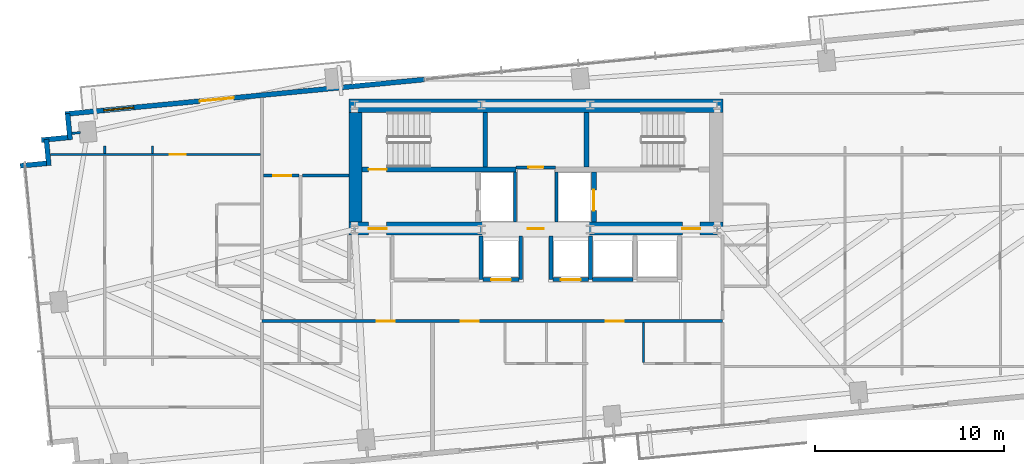
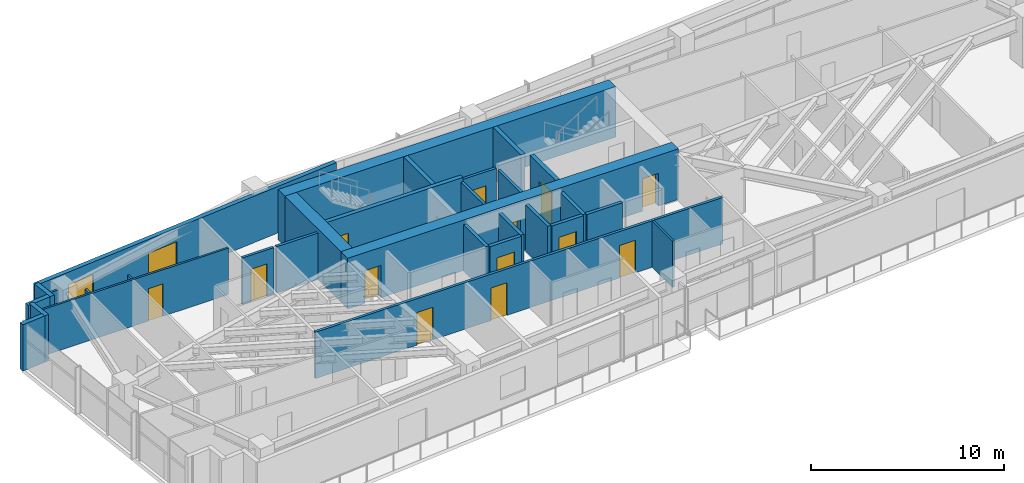
# One storey, part 20 of 25: 30 walls, 14 doors, 1 window, 15 openings.
"""IFC4 building model written with IfcOpenShell, lengths in metres."""

from ifc_helpers import new_model, si_unit, direction, frame, frame_2d, origin, place, context, subcontext, project, spatial, rectangle, extrude, source, transform, mapped, material, layer, layer_set, type_object, type_shapes, element, fill, save


model = new_model("IFC4")

# Units and contexts
model_context = context("Model", 3, precision=1e-05, world=origin(), true_north=direction((0.0, 1.0)))
body_context = subcontext(model_context, "Body", "Model", "MODEL_VIEW")
ifc_project = project(units=[si_unit("LENGTHUNIT", "METRE"), si_unit("AREAUNIT", "SQUARE_METRE"), si_unit("VOLUMEUNIT", "CUBIC_METRE"), si_unit("PLANEANGLEUNIT", "RADIAN"), si_unit("MASSUNIT", "GRAM", prefix="KILO")], contexts=[model_context])

# Site, building, storey
site_placement = place(None, origin())
site = spatial("IfcSite", under=ifc_project, at=site_placement, CompositionType="ELEMENT")
building_placement = place(site_placement, origin())
building = spatial("IfcBuilding", under=site, at=building_placement, Name="Astriad Promenade Condominiums", CompositionType="ELEMENT")
storey_placement = place(building_placement, frame((0.0, 0.0, 106.60009765625)))
storey = spatial("IfcBuildingStorey", under=building, at=storey_placement, Name="L30", CompositionType="ELEMENT", Elevation=106.60009765625)

# Wall, openings, doors
ifc_material_1 = material(Name="Concrete C60/75", Category="concrete")
ifc_layer_1 = layer(ifc_material_1, 0.699951171875)
ifc_layer_set_1 = layer_set([ifc_layer_1], Name="Concrete C60/75")
wall_type_1 = type_object("IfcWallType", Name="CW-SHEAR-700", PredefinedType="SHEAR", material=ifc_layer_set_1)
wall_1_placement = place(storey_placement, frame((26.10009765625, 17.449951171875, 0.0), z_axis=(0.0, 0.0, 1.0), x_axis=(1.0, 0.0, 0.0)))
wall_1 = element("IfcWall", 1, at=wall_1_placement, inside=storey, type_object=wall_type_1, Name="CW-CORE-S-L30", PredefinedType="SHEAR", context=body_context, shape_type="SweptSolid", body=[
    extrude(rectangle(XDim=19.7998046875, YDim=0.699951171875, at=frame_2d((9.89990234375, 0.0))), origin(), (0.0, 0.0, 1.0), 3.199951171875),
])
opening_1_placement = place(wall_1_placement, frame((1.050048828125, 0.0, 0.0)))
opening_1 = element("IfcOpeningElement", 2, at=opening_1_placement, cuts=wall_1, Name="Opening FD90-ST-095", PredefinedType="OPENING", context=body_context, shape_type="SweptSolid", body=[
    extrude(rectangle(XDim=0.949951171875, YDim=2.06005859375, at=frame_2d((0.47509765625, 1.030029296875))), frame((0.0, 0.35986328125, 0.0), z_axis=(0.0, -1.0, 0.0), x_axis=(1.0, 0.0, 0.0)), (0.0, 0.0, 1.0), 0.719970703125),
])
opening_2_placement = place(wall_1_placement, frame((9.47998046875, 0.0, 0.0)))
opening_2 = element("IfcOpeningElement", 3, at=opening_2_placement, cuts=wall_1, Name="Opening FD60-ULOW-085", PredefinedType="OPENING", context=body_context, shape_type="SweptSolid", body=[
    extrude(rectangle(XDim=0.85009765625, YDim=2.0, at=frame_2d((0.425048828125, 1.0))), frame((0.0, 0.35986328125, 0.0), z_axis=(0.0, -1.0, 0.0), x_axis=(1.0, 0.0, 0.0)), (0.0, 0.0, 1.0), 0.719970703125),
])
opening_3_placement = place(wall_1_placement, frame((17.64990234375, 0.0, 0.0)))
opening_3 = element("IfcOpeningElement", 4, at=opening_3_placement, cuts=wall_1, Name="Opening FD90-ST-095", PredefinedType="OPENING", context=body_context, shape_type="SweptSolid", body=[
    extrude(rectangle(XDim=0.949951171875, YDim=2.06005859375, at=frame_2d((0.47509765625, 1.030029296875))), frame((0.0, 0.35986328125, 0.0), z_axis=(0.0, -1.0, 0.0), x_axis=(1.0, 0.0, 0.0)), (0.0, 0.0, 1.0), 0.719970703125),
])
ifc_material_2 = material(Name="Fire-Rated Hollow Metal Stair Door")
door_type_1 = type_object("IfcDoorType", Name="FD90-ST-095", OperationType="NOTDEFINED", PredefinedType="DOOR", material=ifc_material_2)
shared_shape_1 = source(origin(), body_context, "Body", "SweptSolid", [
    extrude(rectangle(XDim=0.949951171875, YDim=2.06005859375, at=frame_2d((0.47509765625, 1.030029296875))), frame((0.0, 0.02490234375, 0.0), z_axis=(0.0, -1.0, 0.0), x_axis=(1.0, 0.0, 0.0)), (0.0, 0.0, 1.0), 0.050048828125),
])
type_shapes(door_type_1, [shared_shape_1])
door_1_placement = place(opening_1_placement, origin())
door_1 = element("IfcDoor", 5, at=door_1_placement, inside=storey, type_object=door_type_1, Name="D-FFW-L30", OperationType="SINGLE_SWING_LEFT", OverallHeight=2.06005859375, OverallWidth=0.949951171875, PredefinedType="DOOR", context=body_context, shape_type="MappedRepresentation", body=[
    mapped(shared_shape_1, transform((0.0, 0.0, 0.0), scale=1.0)),
])
fill(opening_1, door_1)
door_2_placement = place(opening_3_placement, origin())
door_2 = element("IfcDoor", 6, at=door_2_placement, inside=storey, type_object=door_type_1, Name="D-FFE-L30", OperationType="SINGLE_SWING_RIGHT", OverallHeight=2.06005859375, OverallWidth=0.949951171875, PredefinedType="DOOR", context=body_context, shape_type="MappedRepresentation", body=[
    mapped(shared_shape_1, transform((0.0, 0.0, 0.0), scale=1.0)),
])
fill(opening_3, door_2)
ifc_material_3 = material(Name="Solid-Core Low-Headroom Fire Door")
door_type_2 = type_object("IfcDoorType", Name="FD60-ULOW-085", OperationType="NOTDEFINED", PredefinedType="DOOR", material=ifc_material_3)
shared_shape_2 = source(origin(), body_context, "Body", "SweptSolid", [
    extrude(rectangle(XDim=0.85009765625, YDim=2.0, at=frame_2d((0.425048828125, 1.0))), frame((0.0, 0.02490234375, 0.0), z_axis=(0.0, -1.0, 0.0), x_axis=(1.0, 0.0, 0.0)), (0.0, 0.0, 1.0), 0.050048828125),
])
type_shapes(door_type_2, [shared_shape_2])
door_3_placement = place(opening_2_placement, origin())
door_3 = element("IfcDoor", 7, at=door_3_placement, inside=storey, type_object=door_type_2, Name="D-CSL-L30", OperationType="SINGLE_SWING_RIGHT", OverallHeight=2.0, OverallWidth=0.85009765625, PredefinedType="DOOR", context=body_context, shape_type="MappedRepresentation", body=[
    mapped(shared_shape_2, transform((0.0, 0.0, 0.0), scale=1.0)),
])
fill(opening_2, door_3)

# Walls
wall_2_placement = place(storey_placement, frame((26.10009765625, 23.949951171875, 0.0), z_axis=(0.0, 0.0, 1.0), x_axis=(1.0, 0.0, 0.0)))
element("IfcWall", 8, at=wall_2_placement, inside=storey, type_object=wall_type_1, Name="CW-CORE-N-L30", PredefinedType="SHEAR", context=body_context, shape_type="SweptSolid", body=[
    extrude(rectangle(XDim=19.7998046875, YDim=0.699951171875, at=frame_2d((9.89990234375, 0.0))), origin(), (0.0, 0.0, 1.0), 3.199951171875),
])
wall_3_placement = place(storey_placement, frame((26.449951171875, 17.802001953125, 0.0), z_axis=(0.0, 0.0, 1.0), x_axis=(0.0, 1.0, 0.0)))
element("IfcWall", 9, at=wall_3_placement, inside=storey, type_object=wall_type_1, Name="CW-CORE-W-L30", PredefinedType="SHEAR", context=body_context, shape_type="SweptSolid", body=[
    extrude(rectangle(XDim=5.7958984375, YDim=0.699951171875, at=frame_2d((2.89794921875, 0.0))), origin(), (0.0, 0.0, 1.0), 3.199951171875),
])

# Wall, opening, door
ifc_material_4 = material(Name="Concrete C50/60", Category="concrete")
ifc_layer_2 = layer(ifc_material_4, 0.25)
ifc_layer_set_2 = layer_set([ifc_layer_2], Name="Concrete C50/60")
wall_type_2 = type_object("IfcWallType", Name="WALL-CORE-INT-250", PredefinedType="SOLIDWALL", material=ifc_layer_set_2)
wall_4_placement = place(storey_placement, frame((26.802001953125, 20.574951171875, 0.0), z_axis=(0.0, 0.0, 1.0), x_axis=(1.0, 0.0, 0.0)))
wall_4 = element("IfcWall", 10, at=wall_4_placement, inside=storey, type_object=wall_type_2, Name="CW-INT-H1-L30", PredefinedType="SOLIDWALL", context=body_context, shape_type="SweptSolid", body=[
    extrude(rectangle(XDim=8.14794921875, YDim=0.25, at=frame_2d((4.073974609375, 0.0))), origin(), (0.0, 0.0, 1.0), 3.199951171875),
])
opening_4_placement = place(wall_4_placement, frame((0.347900390625, 0.0, 0.0)))
opening_4 = element("IfcOpeningElement", 11, at=opening_4_placement, cuts=wall_4, Name="Opening FD90-ST-095", PredefinedType="OPENING", context=body_context, shape_type="SweptSolid", body=[
    extrude(rectangle(XDim=0.949951171875, YDim=2.06005859375, at=frame_2d((0.47509765625, 1.030029296875))), frame((0.0, 0.135009765625, 0.0), z_axis=(0.0, -1.0, 0.0), x_axis=(1.0, 0.0, 0.0)), (0.0, 0.0, 1.0), 0.27001953125),
])
door_4_placement = place(opening_4_placement, origin())
door_4 = element("IfcDoor", 12, at=door_4_placement, inside=storey, type_object=door_type_1, Name="D-ST1-L30", OperationType="SINGLE_SWING_RIGHT", OverallHeight=2.06005859375, OverallWidth=0.949951171875, PredefinedType="DOOR", context=body_context, shape_type="MappedRepresentation", body=[
    mapped(shared_shape_1, transform((0.0, 0.0, 0.0), scale=1.0)),
])
fill(opening_4, door_4)

# Walls
for number, where, z_axis, x_axis, name in (
    (13, (33.324951171875, 20.701904296875, 0.0), (0.0, 0.0, 1.0), (0.0, 1.0, 0.0), "CW-ST1-E-L30"),
    (14, (38.675048828125, 20.701904296875, 0.0), (0.0, 0.0, 1.0), (0.0, 1.0, 0.0), "CW-ST2-W-L30"),
):
    element("IfcWall", number, at=place(storey_placement, frame(where, z_axis=z_axis, x_axis=x_axis)), inside=storey, type_object=wall_type_2, Name=name, PredefinedType="SOLIDWALL", context=body_context, shape_type="SweptSolid", body=[
        extrude(rectangle(XDim=2.89599609375, YDim=0.25, at=frame_2d((1.447998046875, 0.0))), origin(), (0.0, 0.0, 1.0), 3.199951171875),
    ])

# Wall, opening, door
wall_5_placement = place(storey_placement, frame((39.074951171875, 17.802001953125, 0.0), z_axis=(0.0, 0.0, 1.0), x_axis=(0.0, 1.0, 0.0)))
wall_5 = element("IfcWall", 15, at=wall_5_placement, inside=storey, type_object=wall_type_2, Name="CW-FFL2-E-L30", PredefinedType="SOLIDWALL", context=body_context, shape_type="SweptSolid", body=[
    extrude(rectangle(XDim=2.64599609375, YDim=0.25, at=frame_2d((1.322998046875, 0.0))), origin(), (0.0, 0.0, 1.0), 3.199951171875),
])
opening_5_placement = place(wall_5_placement, frame((0.597900390625, 0.0, 0.0)))
opening_5 = element("IfcOpeningElement", 16, at=opening_5_placement, cuts=wall_5, Name="Opening LD-FFL-1122", PredefinedType="OPENING", context=body_context, shape_type="SweptSolid", body=[
    extrude(rectangle(XDim=1.10009765625, YDim=2.080078125, at=frame_2d((0.550048828125, 1.0400390625))), frame((0.0, 0.135009765625, 0.0), z_axis=(0.0, -1.0, 0.0), x_axis=(1.0, 0.0, 0.0)), (0.0, 0.0, 1.0), 0.27001953125),
])
ifc_material_5 = material(Name="Brushed Stainless Steel Fire Elevator Landing Door", Category="steel")
door_type_3 = type_object("IfcDoorType", Name="LD-FFL-1122", OperationType="NOTDEFINED", PredefinedType="DOOR", material=ifc_material_5)
shared_shape_3 = source(origin(), body_context, "Body", "SweptSolid", [
    extrude(rectangle(XDim=1.10009765625, YDim=2.080078125, at=frame_2d((0.550048828125, 1.0400390625))), frame((0.0, 0.02490234375, 0.0), z_axis=(0.0, -1.0, 0.0), x_axis=(1.0, 0.0, 0.0)), (0.0, 0.0, 1.0), 0.050048828125),
])
type_shapes(door_type_3, [shared_shape_3])
door_5_placement = place(opening_5_placement, origin())
door_5 = element("IfcDoor", 17, at=door_5_placement, inside=storey, type_object=door_type_3, Name="Elevator Landing Door FFL-2 (L30)", OperationType="SLIDING_TO_RIGHT", OverallHeight=2.080078125, OverallWidth=1.10009765625, PredefinedType="DOOR", context=body_context, shape_type="MappedRepresentation", body=[
    mapped(shared_shape_3, transform((0.0, 0.0, 0.0), scale=1.0)),
])
fill(opening_5, door_5)

# Walls
ifc_material_6 = material(Name="Fire-Rated Gypsum Partition")
ifc_layer_3 = layer(ifc_material_6, 0.159912109375)
ifc_layer_set_3 = layer_set([ifc_layer_3], Name="Fire-Rated Gypsum Partition")
wall_type_3 = type_object("IfcWallType", Name="WALL-CORR-160", PredefinedType="PARTITIONING", material=ifc_layer_set_3)
for number, where, z_axis, x_axis, name in (
    (18, (34.89990234375, 17.802001953125, 0.0), (0.0, 0.0, 1.0), (0.0, 1.0, 0.0), "CW-FFL1-E-L30"),
    (19, (37.10009765625, 17.802001953125, 0.0), (0.0, 0.0, 1.0), (0.0, 1.0, 0.0), "CW-FFL2-W-L30"),
):
    element("IfcWall", number, at=place(storey_placement, frame(where, z_axis=z_axis, x_axis=x_axis)), inside=storey, type_object=wall_type_3, Name=name, PredefinedType="PARTITIONING", context=body_context, shape_type="SweptSolid", body=[
        extrude(rectangle(XDim=2.64599609375, YDim=0.159912109375, at=frame_2d((1.322998046875, 0.0))), origin(), (0.0, 0.0, 1.0), 2.93994140625),
    ])

# Wall, opening, door
wall_6_placement = place(storey_placement, frame((34.949951171875, 20.68994140625, 0.0), z_axis=(0.0, 0.0, 1.0), x_axis=(1.0, 0.0, 0.0)))
wall_6 = element("IfcWall", 20, at=wall_6_placement, inside=storey, type_object=wall_type_3, Name="CW-AUX-S-L30", PredefinedType="PARTITIONING", context=body_context, shape_type="SweptSolid", body=[
    extrude(rectangle(XDim=2.10009765625, YDim=0.159912109375, at=frame_2d((1.050048828125, 0.0))), origin(), (0.0, 0.0, 1.0), 2.93994140625),
])
opening_6_placement = place(wall_6_placement, frame((0.64990234375, 0.0, 0.0)))
opening_6 = element("IfcOpeningElement", 21, at=opening_6_placement, cuts=wall_6, Name="Opening FD60-SV-080", PredefinedType="OPENING", context=body_context, shape_type="SweptSolid", body=[
    extrude(rectangle(XDim=0.800048828125, YDim=2.050048828125, at=frame_2d((0.39990234375, 1.02490234375))), frame((0.0, 0.08984375, 0.0), z_axis=(0.0, -1.0, 0.0), x_axis=(1.0, 0.0, 0.0)), (0.0, 0.0, 1.0), 0.179931640625),
])
ifc_material_7 = material(Name="Fire-Rated Riser Closet Door")
door_type_4 = type_object("IfcDoorType", Name="FD60-SV-080", OperationType="NOTDEFINED", PredefinedType="DOOR", material=ifc_material_7)
shared_shape_4 = source(origin(), body_context, "Body", "SweptSolid", [
    extrude(rectangle(XDim=0.800048828125, YDim=2.050048828125, at=frame_2d((0.39990234375, 1.02490234375))), frame((0.0, 0.02490234375, 0.0), z_axis=(0.0, -1.0, 0.0), x_axis=(1.0, 0.0, 0.0)), (0.0, 0.0, 1.0), 0.050048828125),
])
type_shapes(door_type_4, [shared_shape_4])
door_6_placement = place(opening_6_placement, origin())
door_6 = element("IfcDoor", 22, at=door_6_placement, inside=storey, type_object=door_type_4, Name="D-AUX1-L30", OperationType="SINGLE_SWING_RIGHT", OverallHeight=2.050048828125, OverallWidth=0.800048828125, PredefinedType="DOOR", context=body_context, shape_type="MappedRepresentation", body=[
    mapped(shared_shape_4, transform((0.0, 0.0, 0.0), scale=1.0)),
])
fill(opening_6, door_6)

# Wall, openings, doors
wall_7_placement = place(storey_placement, frame((21.5, 12.550048828125, 0.0), z_axis=(0.0, 0.0, 1.0), x_axis=(1.0, 0.0, 0.0)))
wall_7 = element("IfcWall", 23, at=wall_7_placement, inside=storey, type_object=wall_type_3, Name="PT-COR-S-L30", PredefinedType="PARTITIONING", context=body_context, shape_type="SweptSolid", body=[
    extrude(rectangle(XDim=24.3798828125, YDim=0.159912109375, at=frame_2d((12.18994140625, 0.0))), origin(), (0.0, 0.0, 1.0), 2.93994140625),
])
opening_7_placement = place(wall_7_placement, frame((6.074951171875, 0.0, 0.0)))
opening_7 = element("IfcOpeningElement", 24, at=opening_7_placement, cuts=wall_7, Name="Opening FD60-APT-095", PredefinedType="OPENING", context=body_context, shape_type="SweptSolid", body=[
    extrude(rectangle(XDim=0.949951171875, YDim=2.06005859375, at=frame_2d((0.47509765625, 1.030029296875))), frame((0.0, 0.08984375, 0.0), z_axis=(0.0, -1.0, 0.0), x_axis=(1.0, 0.0, 0.0)), (0.0, 0.0, 1.0), 0.179931640625),
])
opening_8_placement = place(wall_7_placement, frame((10.51904296875, 0.0, 0.0)))
opening_8 = element("IfcOpeningElement", 25, at=opening_8_placement, cuts=wall_7, Name="Opening FD60-APT-095", PredefinedType="OPENING", context=body_context, shape_type="SweptSolid", body=[
    extrude(rectangle(XDim=0.949951171875, YDim=2.06005859375, at=frame_2d((0.47509765625, 1.030029296875))), frame((0.0, 0.08984375, 0.0), z_axis=(0.0, -1.0, 0.0), x_axis=(1.0, 0.0, 0.0)), (0.0, 0.0, 1.0), 0.179931640625),
])
opening_9_placement = place(wall_7_placement, frame((18.2080078125, 0.0, 0.0)))
opening_9 = element("IfcOpeningElement", 26, at=opening_9_placement, cuts=wall_7, Name="Opening FD60-APT-095", PredefinedType="OPENING", context=body_context, shape_type="SweptSolid", body=[
    extrude(rectangle(XDim=0.949951171875, YDim=2.06005859375, at=frame_2d((0.47509765625, 1.030029296875))), frame((0.0, 0.08984375, 0.0), z_axis=(0.0, -1.0, 0.0), x_axis=(1.0, 0.0, 0.0)), (0.0, 0.0, 1.0), 0.179931640625),
])
ifc_material_8 = material(Name="Solid-Core Acoustic Timber Residence Entry Door", Category="wood")
door_type_5 = type_object("IfcDoorType", Name="FD60-APT-095", OperationType="NOTDEFINED", PredefinedType="DOOR", material=ifc_material_8)
shared_shape_5 = source(origin(), body_context, "Body", "SweptSolid", [
    extrude(rectangle(XDim=0.949951171875, YDim=2.06005859375, at=frame_2d((0.47509765625, 1.030029296875))), frame((0.0, 0.02490234375, 0.0), z_axis=(0.0, -1.0, 0.0), x_axis=(1.0, 0.0, 0.0)), (0.0, 0.0, 1.0), 0.050048828125),
])
type_shapes(door_type_5, [shared_shape_5])
door_7_placement = place(opening_7_placement, origin())
door_7 = element("IfcDoor", 27, at=door_7_placement, inside=storey, type_object=door_type_5, Name="D-ENT-L30-S1", OperationType="SINGLE_SWING_RIGHT", OverallHeight=2.06005859375, OverallWidth=0.949951171875, PredefinedType="DOOR", context=body_context, shape_type="MappedRepresentation", body=[
    mapped(shared_shape_5, transform((0.0, 0.0, 0.0), scale=1.0)),
])
fill(opening_7, door_7)
door_8_placement = place(opening_8_placement, origin())
door_8 = element("IfcDoor", 28, at=door_8_placement, inside=storey, type_object=door_type_5, Name="D-ENT-L30-S2", OperationType="SINGLE_SWING_LEFT", OverallHeight=2.06005859375, OverallWidth=0.949951171875, PredefinedType="DOOR", context=body_context, shape_type="MappedRepresentation", body=[
    mapped(shared_shape_5, transform((0.0, 0.0, 0.0), scale=1.0)),
])
fill(opening_8, door_8)
door_9_placement = place(opening_9_placement, origin())
door_9 = element("IfcDoor", 29, at=door_9_placement, inside=storey, type_object=door_type_5, Name="D-ENT-L30-S3", OperationType="SINGLE_SWING_RIGHT", OverallHeight=2.06005859375, OverallWidth=0.949951171875, PredefinedType="DOOR", context=body_context, shape_type="MappedRepresentation", body=[
    mapped(shared_shape_5, transform((0.0, 0.0, 0.0), scale=1.0)),
])
fill(opening_9, door_9)

# Wall, opening, door
wall_8_placement = place(storey_placement, frame((21.58203125, 20.25, 0.0), z_axis=(0.0, 0.0, 1.0), x_axis=(1.0, 0.0, 0.0)))
wall_8 = element("IfcWall", 30, at=wall_8_placement, inside=storey, type_object=wall_type_3, Name="PT-HK-N-L30", PredefinedType="PARTITIONING", context=body_context, shape_type="SweptSolid", body=[
    extrude(rectangle(XDim=1.885986328125, YDim=0.159912109375, at=frame_2d((0.94287109375, 0.0))), origin(), (0.0, 0.0, 1.0), 2.93994140625),
])
opening_10_placement = place(wall_8_placement, frame((0.508056640625, 0.0, 0.0)))
opening_10 = element("IfcOpeningElement", 31, at=opening_10_placement, cuts=wall_8, Name="Opening FD60-APT-095", PredefinedType="OPENING", context=body_context, shape_type="SweptSolid", body=[
    extrude(rectangle(XDim=0.949951171875, YDim=2.06005859375, at=frame_2d((0.47509765625, 1.030029296875))), frame((0.0, 0.08984375, 0.0), z_axis=(0.0, -1.0, 0.0), x_axis=(1.0, 0.0, 0.0)), (0.0, 0.0, 1.0), 0.179931640625),
])
door_10_placement = place(opening_10_placement, origin())
door_10 = element("IfcDoor", 32, at=door_10_placement, inside=storey, type_object=door_type_5, Name="D-HKB-L30", OperationType="SINGLE_SWING_LEFT", OverallHeight=2.06005859375, OverallWidth=0.949951171875, PredefinedType="DOOR", context=body_context, shape_type="MappedRepresentation", body=[
    mapped(shared_shape_5, transform((0.0, 0.0, 0.0), scale=1.0)),
])
fill(opening_10, door_10)

# Walls
wall_9_placement = place(storey_placement, frame((23.632080078125, 20.25, 0.0), z_axis=(0.0, 0.0, 1.0), x_axis=(1.0, 0.0, 0.0)))
element("IfcWall", 33, at=wall_9_placement, inside=storey, type_object=wall_type_3, Name="PT-HK-N-L30-S2", PredefinedType="PARTITIONING", context=body_context, shape_type="SweptSolid", body=[
    extrude(rectangle(XDim=2.4658203125, YDim=0.159912109375, at=frame_2d((1.23291015625, 0.0))), origin(), (0.0, 0.0, 1.0), 2.93994140625),
])
ifc_material_9 = material(Name="Precast concrete C50/60", Category="concrete")
ifc_layer_4 = layer(ifc_material_9, 0.260009765625)
ifc_layer_set_4 = layer_set([ifc_layer_4], Name="Precast concrete C50/60")
wall_type_4 = type_object("IfcWallType", Name="WALL-EXT-TWR-260", PredefinedType="STANDARD", material=ifc_layer_set_4)
for number, where, z_axis, x_axis, name in (
    (34, (8.701416015625, 20.767333984375, 0.0), (0.0, 0.0, 1.0), (0.995391056452, 0.09589913835, 0.0), "W-SER-L30-04"),
    (35, (10.216796875, 20.78271484375, 0.0), (0.0, 0.0, 1.0), (-0.095725744959, 0.99540774648, 0.0), "W-SER-L30-05"),
):
    element("IfcWall", number, at=place(storey_placement, frame(where, z_axis=z_axis, x_axis=x_axis)), inside=storey, type_object=wall_type_4, Name=name, PredefinedType="STANDARD", context=body_context, shape_type="SweptSolid", body=[
        extrude(rectangle(XDim=1.39501953125, YDim=0.260009765625, at=frame_2d((0.697509765625, 0.0))), origin(), (0.0, 0.0, 1.0), 2.93994140625),
    ])
wall_10_placement = place(storey_placement, frame((9.825927734375, 22.13134765625, 0.0), z_axis=(0.0, 0.0, 1.0), x_axis=(0.995389446633, 0.095915846097, 0.0)))
element("IfcWall", 36, at=wall_10_placement, inside=storey, type_object=wall_type_4, Name="W-SER-L30-06", PredefinedType="STANDARD", context=body_context, shape_type="SweptSolid", body=[
    extrude(rectangle(XDim=1.394775390625, YDim=0.260009765625, at=frame_2d((0.697265625, 0.0))), origin(), (0.0, 0.0, 1.0), 2.93994140625),
])
wall_11_placement = place(storey_placement, frame((11.34130859375, 22.146728515625, 0.0), z_axis=(0.0, 0.0, 1.0), x_axis=(-0.09589913835, 0.995391056452, 0.0)))
element("IfcWall", 37, at=wall_11_placement, inside=storey, type_object=wall_type_4, Name="W-SER-L30-07", PredefinedType="STANDARD", context=body_context, shape_type="SweptSolid", body=[
    extrude(rectangle(XDim=1.39501953125, YDim=0.260009765625, at=frame_2d((0.697509765625, 0.0))), origin(), (0.0, 0.0, 1.0), 2.93994140625),
])

# Wall, openings, door, window
wall_12_placement = place(storey_placement, frame((11.07958984375, 23.508056640625, 0.0), z_axis=(0.0, 0.0, 1.0), x_axis=(0.995396638587, 0.095841180552, 0.0)))
wall_12 = element("IfcWall", 38, at=wall_12_placement, inside=storey, type_object=wall_type_4, Name="W-EXT-L30-N1", PredefinedType="STANDARD", context=body_context, shape_type="SweptSolid", body=[
    extrude(rectangle(XDim=19.110107421875, YDim=0.260009765625, at=frame_2d((9.55517578125, 0.0))), origin(), (0.0, 0.0, 1.0), 2.93994140625),
])
opening_11_placement = place(wall_12_placement, frame((7.158935546875, 0.0, 0.0)))
opening_11 = element("IfcOpeningElement", 39, at=opening_11_placement, cuts=wall_12, Name="Opening BD-1822-SLD", PredefinedType="OPENING", context=body_context, shape_type="SweptSolid", body=[
    extrude(rectangle(XDim=1.800048828125, YDim=2.06005859375, at=frame_2d((0.89990234375, 1.030029296875))), frame((0.0, 0.139892578125, 0.0), z_axis=(0.0, -1.0, 0.0), x_axis=(1.0, 0.0, 0.0)), (0.0, 0.0, 1.0), 0.280029296875),
])
opening_12_placement = place(wall_12_placement, frame((2.050048828125, 0.0, 0.64990234375)))
opening_12 = element("IfcOpeningElement", 40, at=opening_12_placement, cuts=wall_12, Name="Opening WIN-TWR-1620", PredefinedType="OPENING", context=body_context, shape_type="SweptSolid", body=[
    extrude(rectangle(XDim=1.60009765625, YDim=1.5, at=frame_2d((0.800048828125, 0.75))), frame((0.0, 0.139892578125, 0.0), z_axis=(0.0, -1.0, 0.0), x_axis=(1.0, 0.0, 0.0)), (0.0, 0.0, 1.0), 0.280029296875),
])
ifc_material_10 = material(Name="Thermally Broken Aluminium Sliding Balcony Door", Category="aluminium")
door_type_6 = type_object("IfcDoorType", Name="BD-1822-SLD", OperationType="NOTDEFINED", PredefinedType="DOOR", material=ifc_material_10)
shared_shape_6 = source(origin(), body_context, "Body", "SweptSolid", [
    extrude(rectangle(XDim=1.800048828125, YDim=2.06005859375, at=frame_2d((0.89990234375, 1.030029296875))), frame((0.0, 0.02490234375, 0.0), z_axis=(0.0, -1.0, 0.0), x_axis=(1.0, 0.0, 0.0)), (0.0, 0.0, 1.0), 0.050048828125),
])
type_shapes(door_type_6, [shared_shape_6])
door_11_placement = place(opening_11_placement, origin())
door_11 = element("IfcDoor", 41, at=door_11_placement, inside=storey, type_object=door_type_6, Name="BD-L30-NW", OperationType="SLIDING_TO_LEFT", OverallHeight=2.06005859375, OverallWidth=1.800048828125, PredefinedType="DOOR", context=body_context, shape_type="MappedRepresentation", body=[
    mapped(shared_shape_6, transform((0.0, 0.0, 0.0), scale=1.0)),
])
fill(opening_11, door_11)
ifc_material_11 = material(Name="Dark Tinted Triple-Glazed Aluminium Window", Category="aluminium")
window_type = type_object("IfcWindowType", Name="WIN-TWR-1620", PartitioningType="SINGLE_PANEL", PredefinedType="WINDOW", material=ifc_material_11)
shared_shape_7 = source(origin(), body_context, "Body", "SweptSolid", [
    extrude(rectangle(XDim=1.60009765625, YDim=1.5, at=frame_2d((0.800048828125, 0.75))), frame((0.0, 0.030029296875, 0.0), z_axis=(0.0, -1.0, 0.0), x_axis=(1.0, 0.0, 0.0)), (0.0, 0.0, 1.0), 0.06005859375),
])
type_shapes(window_type, [shared_shape_7])
window_placement = place(opening_12_placement, origin())
window = element("IfcWindow", 42, at=window_placement, inside=storey, type_object=window_type, Name="WIN-L30-NW", OverallHeight=1.5, OverallWidth=1.60009765625, PartitioningType="SINGLE_PANEL", PredefinedType="WINDOW", context=body_context, shape_type="MappedRepresentation", body=[
    mapped(shared_shape_7, transform((0.0, 0.0, 0.0), scale=1.0)),
])
fill(opening_12, window)

# Wall
ifc_material_12 = material(Name="Acoustic Metal-Stud Gypsum Partition")
ifc_layer_5 = layer(ifc_material_12, 0.1201171875)
ifc_layer_set_5 = layer_set([ifc_layer_5], Name="Acoustic Metal-Stud Gypsum Partition")
wall_type_5 = type_object("IfcWallType", Name="WALL-PART-120", PredefinedType="PARTITIONING", material=ifc_layer_set_5)
wall_13_placement = place(storey_placement, frame((41.699951171875, 10.362060546875, 0.0), z_axis=(0.0, 0.0, 1.0), x_axis=(0.0, 1.0, 0.0)))
element("IfcWall", 43, at=wall_13_placement, inside=storey, type_object=wall_type_5, Name="PT-L30-S3-PK", PredefinedType="PARTITIONING", context=body_context, shape_type="SweptSolid", body=[
    extrude(rectangle(XDim=2.10595703125, YDim=0.1201171875, at=frame_2d((1.052978515625, 0.0))), origin(), (0.0, 0.0, 1.0), 2.93994140625),
])

# Wall, opening, door
wall_14_placement = place(storey_placement, frame((10.29296875, 21.37109375, 0.0), z_axis=(0.0, 0.0, 1.0), x_axis=(1.0, 0.0, 0.0)))
wall_14 = element("IfcWall", 44, at=wall_14_placement, inside=storey, type_object=wall_type_5, Name="PT-L30-W1-WDN2", PredefinedType="PARTITIONING", context=body_context, shape_type="SweptSolid", body=[
    extrude(rectangle(XDim=11.125, YDim=0.1201171875, at=frame_2d((5.5625, 0.0))), origin(), (0.0, 0.0, 1.0), 2.93994140625),
])
opening_13_placement = place(wall_14_placement, frame((6.330078125, 0.0, 0.0)))
opening_13 = element("IfcOpeningElement", 45, at=opening_13_placement, cuts=wall_14, Name="Opening D-INT-085", PredefinedType="OPENING", context=body_context, shape_type="SweptSolid", body=[
    extrude(rectangle(XDim=0.85009765625, YDim=2.050048828125, at=frame_2d((0.425048828125, 1.02490234375))), frame((0.0, 0.070068359375, 0.0), z_axis=(0.0, -1.0, 0.0), x_axis=(1.0, 0.0, 0.0)), (0.0, 0.0, 1.0), 0.14013671875),
])
ifc_material_13 = material(Name="Painted Solid-Core Timber Room Door", Category="wood")
door_type_7 = type_object("IfcDoorType", Name="D-INT-085", OperationType="NOTDEFINED", PredefinedType="DOOR", material=ifc_material_13)
shared_shape_8 = source(origin(), body_context, "Body", "SweptSolid", [
    extrude(rectangle(XDim=0.85009765625, YDim=2.050048828125, at=frame_2d((0.425048828125, 1.02490234375))), frame((0.0, 0.02490234375, 0.0), z_axis=(0.0, -1.0, 0.0), x_axis=(1.0, 0.0, 0.0)), (0.0, 0.0, 1.0), 0.050048828125),
])
type_shapes(door_type_7, [shared_shape_8])
door_12_placement = place(opening_13_placement, origin())
door_12 = element("IfcDoor", 46, at=door_12_placement, inside=storey, type_object=door_type_7, Name="D-WDN2-L30-W1", OperationType="SINGLE_SWING_LEFT", OverallHeight=2.050048828125, OverallWidth=0.85009765625, PredefinedType="DOOR", context=body_context, shape_type="MappedRepresentation", body=[
    mapped(shared_shape_8, transform((0.0, 0.0, 0.0), scale=1.0)),
])
fill(opening_13, door_12)

# Walls
for number, where, z_axis, x_axis, name in (
    (47, (13.175048828125, 21.43310546875, 0.0), (0.0, 0.0, 1.0), (0.0, 1.0, 0.0), "PT-L30-W1-WDV4-S3"),
    (48, (15.697998046875, 21.43310546875, 0.0), (0.0, 0.0, 1.0), (0.0, 1.0, 0.0), "PT-L30-W1-WDV5-S3"),
):
    element("IfcWall", number, at=place(storey_placement, frame(where, z_axis=z_axis, x_axis=x_axis)), inside=storey, type_object=wall_type_5, Name=name, PredefinedType="PARTITIONING", context=body_context, shape_type="SweptSolid", body=[
        extrude(rectangle(XDim=0.3779296875, YDim=0.1201171875, at=frame_2d((0.18896484375, 0.0))), origin(), (0.0, 0.0, 1.0), 2.93994140625),
    ])
wall_15_placement = place(storey_placement, frame((11.89697265625, 22.53173828125, 0.0), z_axis=(0.0, 0.0, 1.0), x_axis=(-0.995384576284, -0.09596637586, 0.0)))
element("IfcWall", 49, at=wall_15_placement, inside=storey, type_object=wall_type_5, Name="PT-PIL-L30-PC06-13", PredefinedType="PARTITIONING", context=body_context, shape_type="SweptSolid", body=[
    extrude(rectangle(XDim=0.4580078125, YDim=0.1201171875, at=frame_2d((0.22900390625, 0.0))), origin(), (0.0, 0.0, 1.0), 2.93994140625),
])
ifc_material_14 = material(Name="Gypsum Shaftliner Assembly")
ifc_layer_6 = layer(ifc_material_14, 0.199951171875)
ifc_layer_set_6 = layer_set([ifc_layer_6], Name="Gypsum Shaftliner Assembly")
wall_type_6 = type_object("IfcWallType", Name="WALL-SHAFT-200", PredefinedType="PARTITIONING", material=ifc_layer_set_6)
for number, where, z_axis, x_axis, name in (
    (50, (33.10009765625, 14.75, 0.0), (0.0, 0.0, 1.0), (0.0, 1.0, 0.0), "REC-L-E-L30"),
    (51, (35.199951171875, 14.75, 0.0), (0.0, 0.0, 1.0), (0.0, 1.0, 0.0), "PL-M1-E-L30"),
):
    element("IfcWall", number, at=place(storey_placement, frame(where, z_axis=z_axis, x_axis=x_axis)), inside=storey, type_object=wall_type_6, Name=name, PredefinedType="PARTITIONING", context=body_context, shape_type="SweptSolid", body=[
        extrude(rectangle(XDim=2.300048828125, YDim=0.199951171875, at=frame_2d((1.14990234375, 0.0))), origin(), (0.0, 0.0, 1.0), 2.93994140625),
    ])

# Wall, opening, door
wall_16_placement = place(storey_placement, frame((33.201904296875, 14.75, 0.0), z_axis=(0.0, 0.0, 1.0), x_axis=(1.0, 0.0, 0.0)))
wall_16 = element("IfcWall", 52, at=wall_16_placement, inside=storey, type_object=wall_type_6, Name="PL-M1-F-L30", PredefinedType="PARTITIONING", context=body_context, shape_type="SweptSolid", body=[
    extrude(rectangle(XDim=1.89599609375, YDim=0.199951171875, at=frame_2d((0.947998046875, 0.0))), origin(), (0.0, 0.0, 1.0), 2.93994140625),
])
opening_14_placement = place(wall_16_placement, frame((0.423095703125, 0.0, 0.0)))
opening_14 = element("IfcOpeningElement", 53, at=opening_14_placement, cuts=wall_16, Name="Opening LD-PL-10522", PredefinedType="OPENING", context=body_context, shape_type="SweptSolid", body=[
    extrude(rectangle(XDim=1.050048828125, YDim=2.080078125, at=frame_2d((0.52490234375, 1.0400390625))), frame((0.0, 0.10986328125, 0.0), z_axis=(0.0, -1.0, 0.0), x_axis=(1.0, 0.0, 0.0)), (0.0, 0.0, 1.0), 0.219970703125),
])
ifc_material_15 = material(Name="Brushed Bronze Passenger Elevator Landing Door")
door_type_8 = type_object("IfcDoorType", Name="LD-PL-10522", OperationType="NOTDEFINED", PredefinedType="DOOR", material=ifc_material_15)
shared_shape_9 = source(origin(), body_context, "Body", "SweptSolid", [
    extrude(rectangle(XDim=1.050048828125, YDim=2.080078125, at=frame_2d((0.52490234375, 1.0400390625))), frame((0.0, 0.02490234375, 0.0), z_axis=(0.0, -1.0, 0.0), x_axis=(1.0, 0.0, 0.0)), (0.0, 0.0, 1.0), 0.050048828125),
])
type_shapes(door_type_8, [shared_shape_9])
door_13_placement = place(opening_14_placement, origin())
door_13 = element("IfcDoor", 54, at=door_13_placement, inside=storey, type_object=door_type_8, Name="Elevator Landing Door PL-M1 (L30)", OperationType="SLIDING_TO_LEFT", OverallHeight=2.080078125, OverallWidth=1.050048828125, PredefinedType="DOOR", context=body_context, shape_type="MappedRepresentation", body=[
    mapped(shared_shape_9, transform((0.0, 0.0, 0.0), scale=1.0)),
])
fill(opening_14, door_13)

# Walls
for number, where, z_axis, x_axis, name in (
    (55, (36.800048828125, 14.75, 0.0), (0.0, 0.0, 1.0), (0.0, 1.0, 0.0), "PL-M2-W-L30"),
    (56, (38.89990234375, 14.75, 0.0), (0.0, 0.0, 1.0), (0.0, 1.0, 0.0), "PL-MH-DIV-L30"),
):
    element("IfcWall", number, at=place(storey_placement, frame(where, z_axis=z_axis, x_axis=x_axis)), inside=storey, type_object=wall_type_6, Name=name, PredefinedType="PARTITIONING", context=body_context, shape_type="SweptSolid", body=[
        extrude(rectangle(XDim=2.300048828125, YDim=0.199951171875, at=frame_2d((1.14990234375, 0.0))), origin(), (0.0, 0.0, 1.0), 2.93994140625),
    ])

# Wall, opening, door
wall_17_placement = place(storey_placement, frame((36.902099609375, 14.75, 0.0), z_axis=(0.0, 0.0, 1.0), x_axis=(1.0, 0.0, 0.0)))
wall_17 = element("IfcWall", 57, at=wall_17_placement, inside=storey, type_object=wall_type_6, Name="PL-M2-F-L30", PredefinedType="PARTITIONING", context=body_context, shape_type="SweptSolid", body=[
    extrude(rectangle(XDim=1.89599609375, YDim=0.199951171875, at=frame_2d((0.947998046875, 0.0))), origin(), (0.0, 0.0, 1.0), 2.93994140625),
])
opening_15_placement = place(wall_17_placement, frame((0.423095703125, 0.0, 0.0)))
opening_15 = element("IfcOpeningElement", 58, at=opening_15_placement, cuts=wall_17, Name="Opening LD-PL-10522", PredefinedType="OPENING", context=body_context, shape_type="SweptSolid", body=[
    extrude(rectangle(XDim=1.050048828125, YDim=2.080078125, at=frame_2d((0.52490234375, 1.0400390625))), frame((0.0, 0.10986328125, 0.0), z_axis=(0.0, -1.0, 0.0), x_axis=(1.0, 0.0, 0.0)), (0.0, 0.0, 1.0), 0.219970703125),
])
door_14_placement = place(opening_15_placement, origin())
door_14 = element("IfcDoor", 59, at=door_14_placement, inside=storey, type_object=door_type_8, Name="Elevator Landing Door PL-M2 (L30)", OperationType="SLIDING_TO_RIGHT", OverallHeight=2.080078125, OverallWidth=1.050048828125, PredefinedType="DOOR", context=body_context, shape_type="MappedRepresentation", body=[
    mapped(shared_shape_9, transform((0.0, 0.0, 0.0), scale=1.0)),
])
fill(opening_15, door_14)

# Wall
wall_18_placement = place(storey_placement, frame((39.001953125, 14.75, 0.0), z_axis=(0.0, 0.0, 1.0), x_axis=(1.0, 0.0, 0.0)))
element("IfcWall", 60, at=wall_18_placement, inside=storey, type_object=wall_type_6, Name="PL-H-FRT-L30", PredefinedType="PARTITIONING", context=body_context, shape_type="SweptSolid", body=[
    extrude(rectangle(XDim=2.14599609375, YDim=0.199951171875, at=frame_2d((1.072998046875, 0.0))), origin(), (0.0, 0.0, 1.0), 2.93994140625),
])

save(model, "model.ifc")
